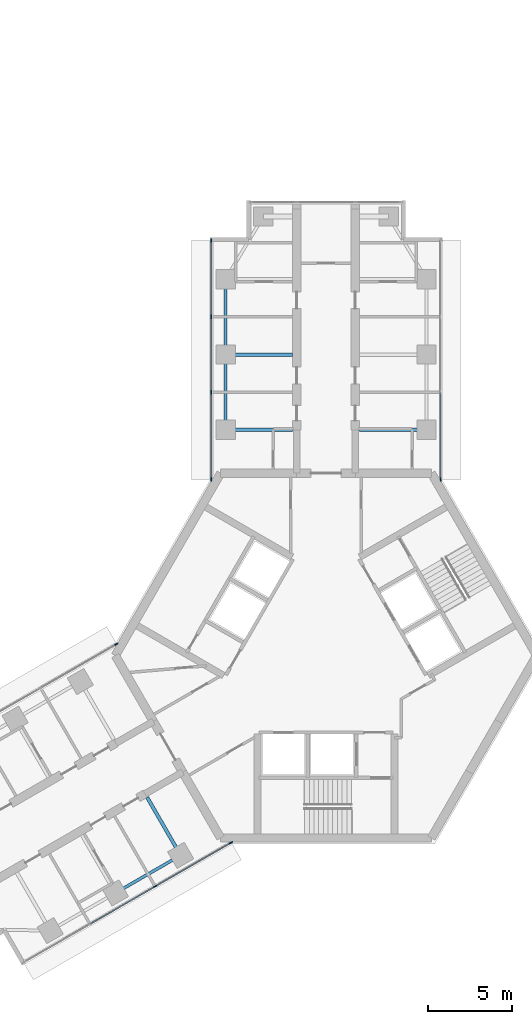
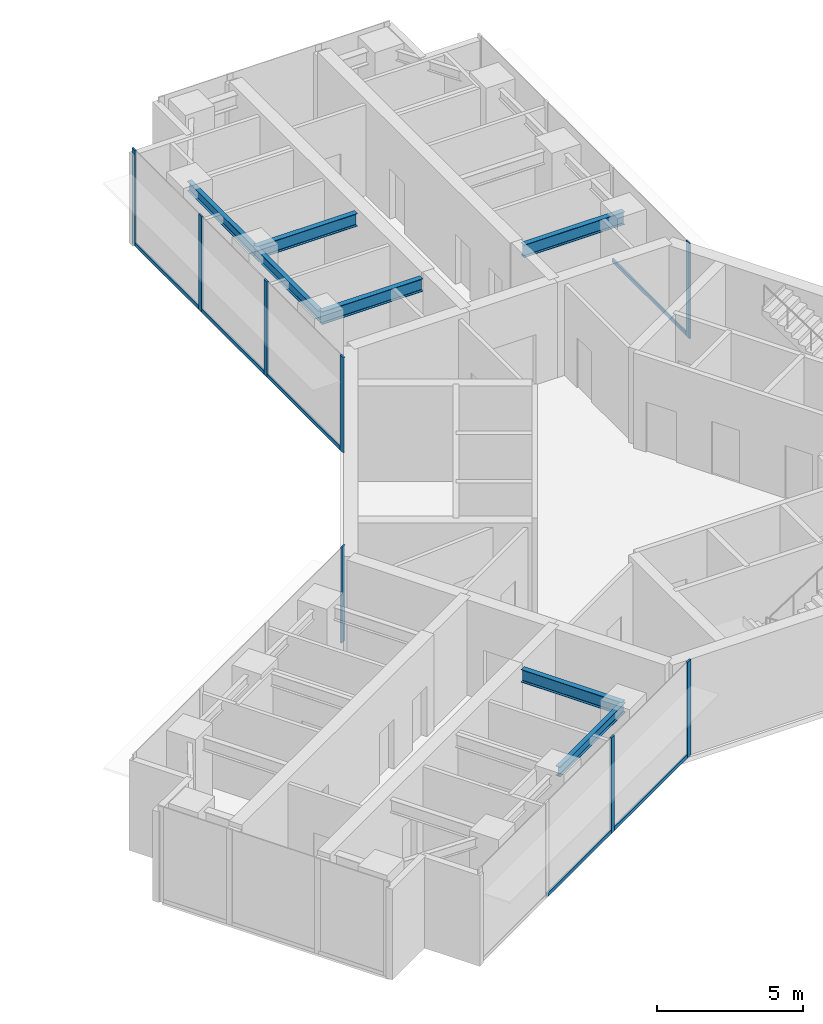
# One storey, part 8 of 17: 14 members, 7 beams, 4 elements without a shape of their own.
"""IFC4 building model written with IfcOpenShell, lengths in metres."""

from ifc_helpers import new_model, si_unit, direction, frame, origin, origin_2d, place, context, subcontext, project, spatial, rectangle, i_section, extrude, material, material_profile, profile_set, type_object, element, aggregate, save


model = new_model("IFC4")

# Units and contexts
model_context = context("Model", 3, precision=1e-05, world=origin(), true_north=direction((0.0, 1.0)))
body_context = subcontext(model_context, "Body", "Model", "MODEL_VIEW")
ifc_project = project(units=[si_unit("LENGTHUNIT", "METRE"), si_unit("AREAUNIT", "SQUARE_METRE"), si_unit("VOLUMEUNIT", "CUBIC_METRE"), si_unit("PLANEANGLEUNIT", "RADIAN"), si_unit("MASSUNIT", "GRAM", prefix="KILO")], contexts=[model_context])

# Site, building, storey
site_placement = place(None, origin())
site = spatial("IfcSite", under=ifc_project, at=site_placement, CompositionType="ELEMENT")
building_placement = place(site_placement, origin())
building = spatial("IfcBuilding", under=site, at=building_placement, Name="Upepo Twin Towers", CompositionType="ELEMENT")
storey_placement = place(building_placement, frame((0.0, 0.0, 210.5)))
storey = spatial("IfcBuildingStorey", under=building, at=storey_placement, Name="L51", CompositionType="ELEMENT", Elevation=210.5)

# Beams
ifc_material_1 = material(Name="Steel S355", Category="steel")
ifc_material_profile_1 = material_profile(ifc_material_1, i_section(OverallWidth=0.177978515625, OverallDepth=0.406494140625, WebThickness=0.0078125, FlangeThickness=0.0126953125, FilletRadius=0.01025390625, at=origin_2d()), Name="UB 406x178x60")
ifc_profile_set_1 = profile_set([ifc_material_profile_1], Name="Steel S355")
beam_type_1 = type_object("IfcBeamType", Name="Beam UB 406x178x60", PredefinedType="BEAM", material=ifc_profile_set_1)
for number, where, z_axis, x_axis, name in (
    (1, (52.5, -4.5, 3.5966796875), (0.0, 1.0, 0.0), (-1.0, 0.0, 0.0), "T2 edge beam AL 13.5-18.0"),
    (2, (52.5, 0.0, 3.5966796875), (0.0, 1.0, 0.0), (-1.0, 0.0, 0.0), "T2 edge beam AL 18.0-22.5"),
):
    element("IfcBeam", number, at=place(storey_placement, frame(where, z_axis=z_axis, x_axis=x_axis)), inside=storey, type_object=beam_type_1, Name=name, PredefinedType="BEAM", context=body_context, shape_type="SweptSolid", body=[
        extrude(i_section(OverallWidth=0.177978515625, OverallDepth=0.406494140625, WebThickness=0.0078125, FlangeThickness=0.0126953125, FilletRadius=0.01025390625, at=origin_2d()), origin(), (0.0, 0.0, 1.0), 4.5),
    ])
beam_placement = place(storey_placement, frame((49.80859375, -29.946044921875, 3.5966796875), z_axis=(-0.866017533419, -0.500013631625, 0.0), x_axis=(0.500013631625, -0.866017533419, 0.0)))
element("IfcBeam", 3, at=beam_placement, inside=storey, type_object=beam_type_1, Name="T2 edge beam BL 13.5-18.0", PredefinedType="BEAM", context=body_context, shape_type="SweptSolid", body=[
    extrude(i_section(OverallWidth=0.177978515625, OverallDepth=0.406494140625, WebThickness=0.0078125, FlangeThickness=0.0126953125, FilletRadius=0.01025390625, at=origin_2d()), origin(), (0.0, 0.0, 1.0), 4.499755859375),
])
ifc_material_2 = material(Name="Steel S355", Category="steel")
ifc_material_profile_2 = material_profile(ifc_material_2, i_section(OverallWidth=0.209228515625, OverallDepth=0.533203125, WebThickness=0.010009765625, FlangeThickness=0.015625, FilletRadius=0.0126953125, at=origin_2d()), Name="UB 533x210x92")
ifc_profile_set_2 = profile_set([ifc_material_profile_2], Name="Steel S355")
beam_type_2 = type_object("IfcBeamType", Name="Beam UB 533x210x92", PredefinedType="BEAM", material=ifc_profile_set_2)
for number, where, z_axis, x_axis, name in (
    (4, (52.5, -4.5, 3.533447265625), (1.0, 0.0, 0.0), (0.0, 1.0, 0.0), "T2 girder AL at 13.5"),
    (5, (52.5, 0.0, 3.533447265625), (1.0, 0.0, 0.0), (0.0, 1.0, 0.0), "T2 girder AL at 18.0"),
    (6, (64.5, -4.5, 3.533447265625), (-1.0, 0.0, 0.0), (0.0, -1.0, 0.0), "T2 girder AR at 13.5"),
    (7, (49.80859375, -29.946044921875, 3.533447265625), (-0.49999894854, 0.866026010844, 0.0), (-0.866026010844, -0.49999894854, 0.0), "T2 girder BL at 13.5"),
):
    element("IfcBeam", number, at=place(storey_placement, frame(where, z_axis=z_axis, x_axis=x_axis)), inside=storey, type_object=beam_type_2, Name=name, PredefinedType="BEAM", context=body_context, shape_type="SweptSolid", body=[
        extrude(i_section(OverallWidth=0.209228515625, OverallDepth=0.533203125, WebThickness=0.010009765625, FlangeThickness=0.015625, FilletRadius=0.0126953125, at=origin_2d()), origin(), (0.0, 0.0, 1.0), 4.0),
    ])

# Curtain wall, members
ifc_material_3 = material(Name="Aluminium and fritted glass", Category="aluminium")
curtain_wall_type = type_object("IfcCurtainWallType", Name="Tower curtain wall TW3, fritted glass", PredefinedType="NOTDEFINED", material=ifc_material_3)
curtain_wall_1_placement = place(storey_placement, origin())
curtain_wall_1 = element("IfcCurtainWall", 8, at=curtain_wall_1_placement, inside=storey, type_object=curtain_wall_type, Name="T2 L51 wing A flank L curtain wall", PredefinedType="NOTDEFINED")
ifc_material_4 = material(Name="Aluminium mullion", Category="aluminium")
ifc_material_profile_3 = material_profile(ifc_material_4, rectangle(XDim=0.06494140625, YDim=0.22509765625, at=origin_2d()), Name="MULLION 65x225")
ifc_profile_set_3 = profile_set([ifc_material_profile_3], Name="Aluminium mullion")
member_type_1 = type_object("IfcMemberType", Name="Mullion 65x225 TW3", PredefinedType="MULLION", material=ifc_profile_set_3)
member_1_placement = place(storey_placement, frame((51.64990234375, -7.48046875, 0.0), z_axis=(0.0, 0.0, 1.0), x_axis=(-1.0, 0.0, 0.0)))
member_1 = element("IfcMember", 9, at=member_1_placement, type_object=member_type_1, Name="T2 L51 wing A flank L curtain wall mullion 1", PredefinedType="MULLION", context=body_context, shape_type="SweptSolid", body=[
    extrude(rectangle(XDim=0.06494140625, YDim=0.22509765625, at=origin_2d()), origin(), (0.0, 0.0, 1.0), 4.0),
])
member_2_placement = place(storey_placement, frame((51.64990234375, -2.25, 0.0), z_axis=(0.0, 0.0, 1.0), x_axis=(-1.0, 0.0, 0.0)))
member_2 = element("IfcMember", 10, at=member_2_placement, type_object=member_type_1, Name="T2 L51 wing A flank L curtain wall mullion 2", PredefinedType="MULLION", context=body_context, shape_type="SweptSolid", body=[
    extrude(rectangle(XDim=0.06494140625, YDim=0.22509765625, at=origin_2d()), origin(), (0.0, 0.0, 1.0), 4.0),
])
member_3_placement = place(storey_placement, frame((51.64990234375, 2.25, 0.0), z_axis=(0.0, 0.0, 1.0), x_axis=(-1.0, 0.0, 0.0)))
member_3 = element("IfcMember", 11, at=member_3_placement, type_object=member_type_1, Name="T2 L51 wing A flank L curtain wall mullion 3", PredefinedType="MULLION", context=body_context, shape_type="SweptSolid", body=[
    extrude(rectangle(XDim=0.06494140625, YDim=0.22509765625, at=origin_2d()), origin(), (0.0, 0.0, 1.0), 4.0),
])
member_4_placement = place(storey_placement, frame((51.64990234375, 6.8173828125, 0.0), z_axis=(0.0, 0.0, 1.0), x_axis=(-1.0, 0.0, 0.0)))
member_4 = element("IfcMember", 12, at=member_4_placement, type_object=member_type_1, Name="T2 L51 wing A flank L curtain wall mullion 4", PredefinedType="MULLION", context=body_context, shape_type="SweptSolid", body=[
    extrude(rectangle(XDim=0.06494140625, YDim=0.22509765625, at=origin_2d()), origin(), (0.0, 0.0, 1.0), 4.0),
])

# Curtain wall, member
curtain_wall_2_placement = place(storey_placement, origin())
curtain_wall_2 = element("IfcCurtainWall", 13, at=curtain_wall_2_placement, inside=storey, type_object=curtain_wall_type, Name="T2 L51 wing A flank R curtain wall", PredefinedType="NOTDEFINED")
member_5_placement = place(storey_placement, frame((65.35009765625, -7.48046875, 0.0), z_axis=(0.0, 0.0, 1.0), x_axis=(1.0, 0.0, 0.0)))
member_5 = element("IfcMember", 14, at=member_5_placement, type_object=member_type_1, Name="T2 L51 wing A flank R curtain wall mullion 4", PredefinedType="MULLION", context=body_context, shape_type="SweptSolid", body=[
    extrude(rectangle(XDim=0.06494140625, YDim=0.22509765625, at=origin_2d()), origin(), (0.0, 0.0, 1.0), 4.0),
])

# Curtain wall, members
curtain_wall_3_placement = place(storey_placement, origin())
curtain_wall_3 = element("IfcCurtainWall", 15, at=curtain_wall_3_placement, inside=storey, type_object=curtain_wall_type, Name="T2 L51 wing B flank L curtain wall", PredefinedType="NOTDEFINED")
member_6_placement = place(storey_placement, frame((52.814697265625, -29.192138671875, 0.0), z_axis=(0.0, 0.0, 1.0), x_axis=(0.500000026527, -0.866025388469, 0.0)))
member_6 = element("IfcMember", 16, at=member_6_placement, type_object=member_type_1, Name="T2 L51 wing B flank L curtain wall mullion 1", PredefinedType="MULLION", context=body_context, shape_type="SweptSolid", body=[
    extrude(rectangle(XDim=0.06494140625, YDim=0.22509765625, at=origin_2d()), origin(), (0.0, 0.0, 1.0), 4.0),
])
member_7_placement = place(storey_placement, frame((48.28515625, -31.807373046875, 0.0), z_axis=(0.0, 0.0, 1.0), x_axis=(0.500000026527, -0.866025388469, 0.0)))
member_7 = element("IfcMember", 17, at=member_7_placement, type_object=member_type_1, Name="T2 L51 wing B flank L curtain wall mullion 2", PredefinedType="MULLION", context=body_context, shape_type="SweptSolid", body=[
    extrude(rectangle(XDim=0.06494140625, YDim=0.22509765625, at=origin_2d()), origin(), (0.0, 0.0, 1.0), 4.0),
])

# Curtain wall, member
curtain_wall_4_placement = place(storey_placement, origin())
curtain_wall_4 = element("IfcCurtainWall", 18, at=curtain_wall_4_placement, inside=storey, type_object=curtain_wall_type, Name="T2 L51 wing B flank R curtain wall", PredefinedType="NOTDEFINED")
member_8_placement = place(storey_placement, frame((45.96484375, -17.32763671875, 0.0), z_axis=(0.0, 0.0, 1.0), x_axis=(-0.500000026527, 0.866025388469, 0.0)))
member_8 = element("IfcMember", 19, at=member_8_placement, type_object=member_type_1, Name="T2 L51 wing B flank R curtain wall mullion 4", PredefinedType="MULLION", context=body_context, shape_type="SweptSolid", body=[
    extrude(rectangle(XDim=0.06494140625, YDim=0.22509765625, at=origin_2d()), origin(), (0.0, 0.0, 1.0), 4.0),
])
aggregate(curtain_wall_4, [member_8])

# Member
ifc_material_5 = material(Name="Aluminium transom", Category="aluminium")
ifc_material_profile_4 = material_profile(ifc_material_5, rectangle(XDim=0.06494140625, YDim=0.14990234375, at=origin_2d()), Name="TRANSOM 65x150")
ifc_profile_set_4 = profile_set([ifc_material_profile_4], Name="Aluminium transom")
member_type_2 = type_object("IfcMemberType", Name="Transom 65x150 TW3", PredefinedType="USERDEFINED", material=ifc_profile_set_4)
member_9_placement = place(storey_placement, frame((51.64990234375, -7.447998046875, 0.074951171875), z_axis=(0.0, 1.0, 0.0), x_axis=(-1.0, 0.0, 0.0)))
member_9 = element("IfcMember", 20, at=member_9_placement, type_object=member_type_2, Name="T2 L51 wing A flank L curtain wall transom 1", ObjectType="TRANSOM", PredefinedType="USERDEFINED", context=body_context, shape_type="SweptSolid", body=[
    extrude(rectangle(XDim=0.06494140625, YDim=0.14990234375, at=origin_2d()), origin(), (0.0, 0.0, 1.0), 5.16552734375),
])

member_10_placement = place(storey_placement, frame((51.64990234375, -2.217529296875, 0.074951171875), z_axis=(0.0, 1.0, 0.0), x_axis=(-1.0, 0.0, 0.0)))
member_10 = element("IfcMember", 21, at=member_10_placement, type_object=member_type_2, Name="T2 L51 wing A flank L curtain wall transom 2", ObjectType="TRANSOM", PredefinedType="USERDEFINED", context=body_context, shape_type="SweptSolid", body=[
    extrude(rectangle(XDim=0.06494140625, YDim=0.14990234375, at=origin_2d()), origin(), (0.0, 0.0, 1.0), 4.43505859375),
])

member_11_placement = place(storey_placement, frame((51.64990234375, 2.282470703125, 0.074951171875), z_axis=(0.0, 1.0, 0.0), x_axis=(-1.0, 0.0, 0.0)))
member_11 = element("IfcMember", 22, at=member_11_placement, type_object=member_type_2, Name="T2 L51 wing A flank L curtain wall transom 3", ObjectType="TRANSOM", PredefinedType="USERDEFINED", context=body_context, shape_type="SweptSolid", body=[
    extrude(rectangle(XDim=0.06494140625, YDim=0.14990234375, at=origin_2d()), origin(), (0.0, 0.0, 1.0), 4.50244140625),
])

aggregate(curtain_wall_1, [member_1, member_2, member_3, member_4, member_9, member_10, member_11])

member_12_placement = place(storey_placement, frame((65.35009765625, -2.282470703125, 0.074951171875), z_axis=(0.0, -1.0, 0.0), x_axis=(1.0, 0.0, 0.0)))
member_12 = element("IfcMember", 23, at=member_12_placement, type_object=member_type_2, Name="T2 L51 wing A flank R curtain wall transom 3", ObjectType="TRANSOM", PredefinedType="USERDEFINED", context=body_context, shape_type="SweptSolid", body=[
    extrude(rectangle(XDim=0.06494140625, YDim=0.14990234375, at=origin_2d()), origin(), (0.0, 0.0, 1.0), 5.16552734375),
])

aggregate(curtain_wall_2, [member_5, member_12])

member_13_placement = place(storey_placement, frame((52.78662109375, -29.208251953125, 0.074951171875), z_axis=(-0.86602108507, -0.500007480159, 0.0), x_axis=(0.500007480159, -0.86602108507, 0.0)))
member_13 = element("IfcMember", 24, at=member_13_placement, type_object=member_type_2, Name="T2 L51 wing B flank L curtain wall transom 1", ObjectType="TRANSOM", PredefinedType="USERDEFINED", context=body_context, shape_type="SweptSolid", body=[
    extrude(rectangle(XDim=0.06494140625, YDim=0.14990234375, at=origin_2d()), origin(), (0.0, 0.0, 1.0), 5.16552734375),
])

member_14_placement = place(storey_placement, frame((48.2568359375, -31.823486328125, 0.074951171875), z_axis=(-0.866022410713, -0.500005184116, 0.0), x_axis=(0.500005184116, -0.866022410713, 0.0)))
member_14 = element("IfcMember", 25, at=member_14_placement, type_object=member_type_2, Name="T2 L51 wing B flank L curtain wall transom 2", ObjectType="TRANSOM", PredefinedType="USERDEFINED", context=body_context, shape_type="SweptSolid", body=[
    extrude(rectangle(XDim=0.06494140625, YDim=0.14990234375, at=origin_2d()), origin(), (0.0, 0.0, 1.0), 4.43505859375),
])

aggregate(curtain_wall_3, [member_6, member_7, member_13, member_14])

save(model, "model.ifc")
